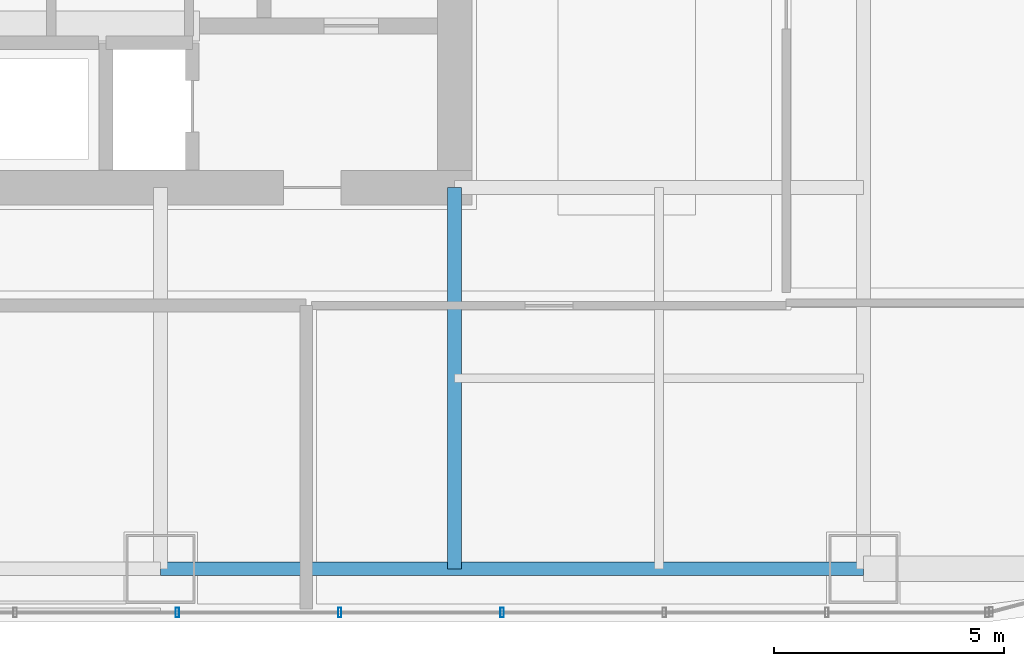
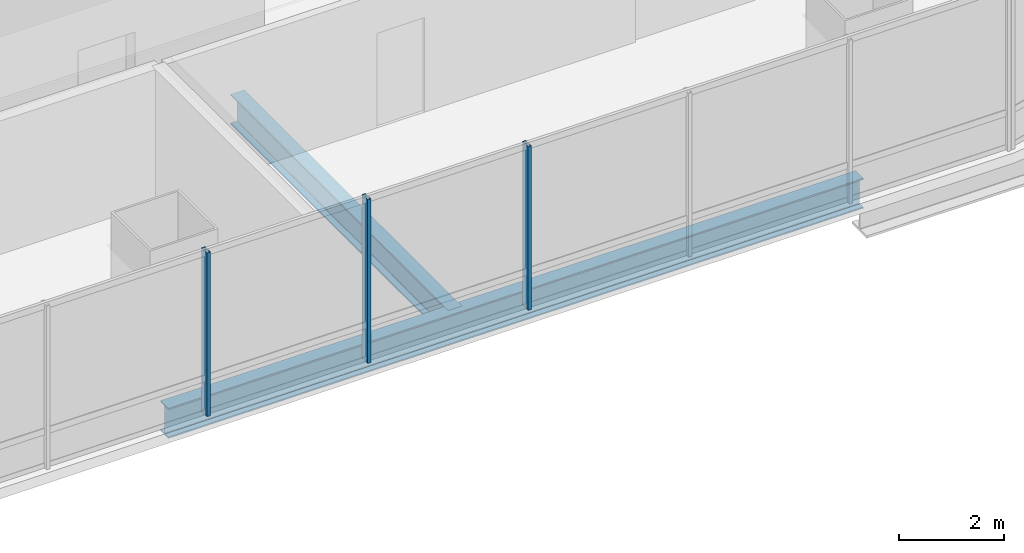
# One storey, part 7 of 34: 3 members, 2 beams, 1 element without a shape of its own.
"""IFC4 building model written with IfcOpenShell, lengths in metres."""

from ifc_helpers import new_model, si_unit, direction, frame, origin, origin_2d, place, context, subcontext, project, spatial, hollow_rectangle, i_section, extrude, material, material_profile, profile_set, type_object, element, aggregate, save


model = new_model("IFC4")

# Units and contexts
model_context = context("Model", 3, precision=1e-05, world=origin(), true_north=direction((0.0, 1.0)))
body_context = subcontext(model_context, "Body", "Model", "MODEL_VIEW")
ifc_project = project(units=[si_unit("LENGTHUNIT", "METRE"), si_unit("AREAUNIT", "SQUARE_METRE"), si_unit("VOLUMEUNIT", "CUBIC_METRE"), si_unit("PLANEANGLEUNIT", "RADIAN"), si_unit("MASSUNIT", "GRAM", prefix="KILO")], contexts=[model_context])

# Site, building, storey
site_placement = place(None, origin())
site = spatial("IfcSite", under=ifc_project, at=site_placement, CompositionType="ELEMENT")
building_placement = place(site_placement, origin())
building = spatial("IfcBuilding", under=site, at=building_placement, Name="Punatoya Terracotta Tower", CompositionType="ELEMENT")
storey_placement = place(building_placement, frame((0.0, 0.0, 101.10009765625)))
storey = spatial("IfcBuildingStorey", under=building, at=storey_placement, Name="L23", CompositionType="ELEMENT", Elevation=101.10009765625)

# Beams
ifc_material_1 = material(Name="Steel S355", Category="steel")
ifc_material_profile_1 = material_profile(ifc_material_1, i_section(OverallWidth=0.300048828125, OverallDepth=0.699951171875, WebThickness=0.01708984375, FlangeThickness=0.031982421875, FilletRadius=0.01806640625, at=origin_2d()))
ifc_profile_set_1 = profile_set([ifc_material_profile_1], Name="Steel S355")
beam_type = type_object("IfcBeamType", Name="BM-PRI-700", PredefinedType="BEAM", material=ifc_profile_set_1)
beam_1_placement = place(storey_placement, frame((3.800048828125, -17.5, -0.590087890625), z_axis=(1.0, 0.0, 0.0), x_axis=(0.0, 1.0, 0.0)))
element("IfcBeam", 1, at=beam_1_placement, inside=storey, type_object=beam_type, Name="BM-L23-RG-S3", PredefinedType="BEAM", context=body_context, shape_type="SweptSolid", body=[
    extrude(i_section(OverallWidth=0.300048828125, OverallDepth=0.699951171875, WebThickness=0.01708984375, FlangeThickness=0.031982421875, FilletRadius=0.01806640625, at=origin_2d()), origin(), (0.0, 0.0, 1.0), 15.300048828125),
])
beam_2_placement = place(storey_placement, frame((10.199951171875, -17.5, -0.590087890625), z_axis=(0.0, 1.0, 0.0), x_axis=(-1.0, 0.0, 0.0)))
element("IfcBeam", 2, at=beam_2_placement, inside=storey, type_object=beam_type, Name="BM-L23-PR-S4", PredefinedType="BEAM", context=body_context, shape_type="SweptSolid", body=[
    extrude(i_section(OverallWidth=0.300048828125, OverallDepth=0.699951171875, WebThickness=0.01708984375, FlangeThickness=0.031982421875, FilletRadius=0.01806640625, at=origin_2d()), origin(), (0.0, 0.0, 1.0), 8.300048828125),
])

# Curtain wall, members
ifc_material_2 = material(Name="Aluminium 6063-T6 + Double Low-E Glass", Category="aluminium")
curtain_wall_type = type_object("IfcCurtainWallType", Name="CW-M1", PredefinedType="NOTDEFINED", material=ifc_material_2)
curtain_wall_placement = place(storey_placement, origin())
curtain_wall = element("IfcCurtainWall", 3, at=curtain_wall_placement, inside=storey, type_object=curtain_wall_type, Name="L23 Curtain Wall CW-L23-S01-1", PredefinedType="NOTDEFINED")
ifc_material_3 = material(Name="Aluminium 6063-T6", Category="aluminium")
ifc_material_profile_2 = material_profile(ifc_material_3, hollow_rectangle(XDim=0.074951171875, YDim=0.2099609375, WallThickness=0.00439453125, at=origin_2d()))
ifc_profile_set_2 = profile_set([ifc_material_profile_2], Name="Aluminium 6063-T6")
member_type = type_object("IfcMemberType", Name="CW-MUL-M1", PredefinedType="MULLION", material=ifc_profile_set_2)
member_1_placement = place(storey_placement, frame((4.1669921875, -18.449951171875, 0.0), z_axis=(0.0, 0.0, 1.0), x_axis=(1.0, 0.0, 0.0)))
member_1 = element("IfcMember", 4, at=member_1_placement, type_object=member_type, Name="CW-L23-S01-1 Mullion 06", PredefinedType="MULLION", context=body_context, shape_type="SweptSolid", body=[
    extrude(hollow_rectangle(XDim=0.074951171875, YDim=0.2099609375, WallThickness=0.00439453125, at=origin_2d()), origin(), (0.0, 0.0, 1.0), 3.809814453125),
])
member_2_placement = place(storey_placement, frame((7.700927734375, -18.449951171875, 0.0), z_axis=(0.0, 0.0, 1.0), x_axis=(1.0, 0.0, 0.0)))
member_2 = element("IfcMember", 5, at=member_2_placement, type_object=member_type, Name="CW-L23-S01-1 Mullion 07", PredefinedType="MULLION", context=body_context, shape_type="SweptSolid", body=[
    extrude(hollow_rectangle(XDim=0.074951171875, YDim=0.2099609375, WallThickness=0.00439453125, at=origin_2d()), origin(), (0.0, 0.0, 1.0), 3.809814453125),
])
member_3_placement = place(storey_placement, frame((11.235107421875, -18.449951171875, 0.0), z_axis=(0.0, 0.0, 1.0), x_axis=(1.0, 0.0, 0.0)))
member_3 = element("IfcMember", 6, at=member_3_placement, type_object=member_type, Name="CW-L23-S01-1 Mullion 08", PredefinedType="MULLION", context=body_context, shape_type="SweptSolid", body=[
    extrude(hollow_rectangle(XDim=0.074951171875, YDim=0.2099609375, WallThickness=0.00439453125, at=origin_2d()), origin(), (0.0, 0.0, 1.0), 3.809814453125),
])
aggregate(curtain_wall, [member_1, member_2, member_3])

save(model, "model.ifc")
